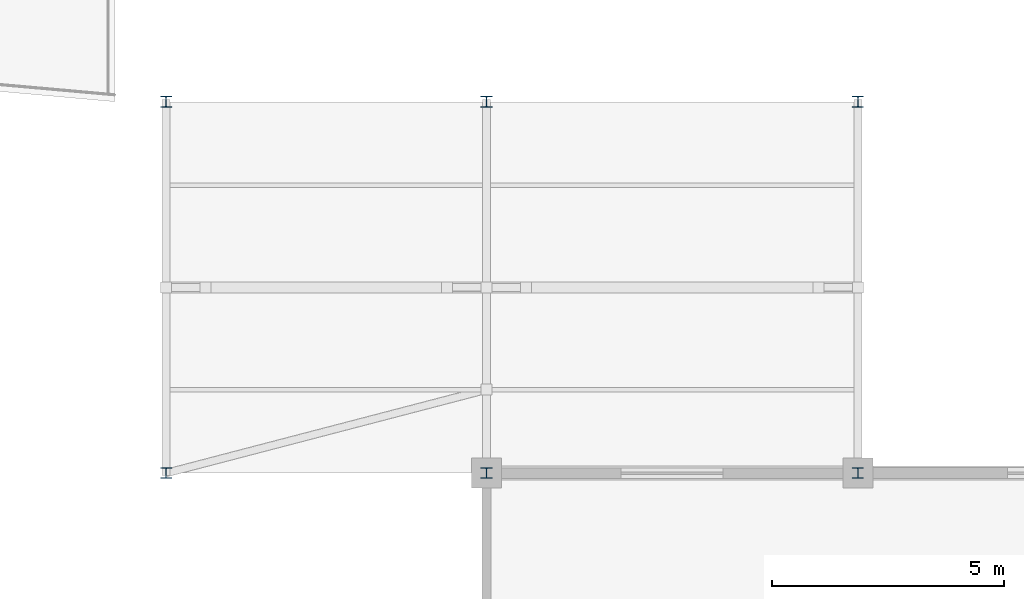
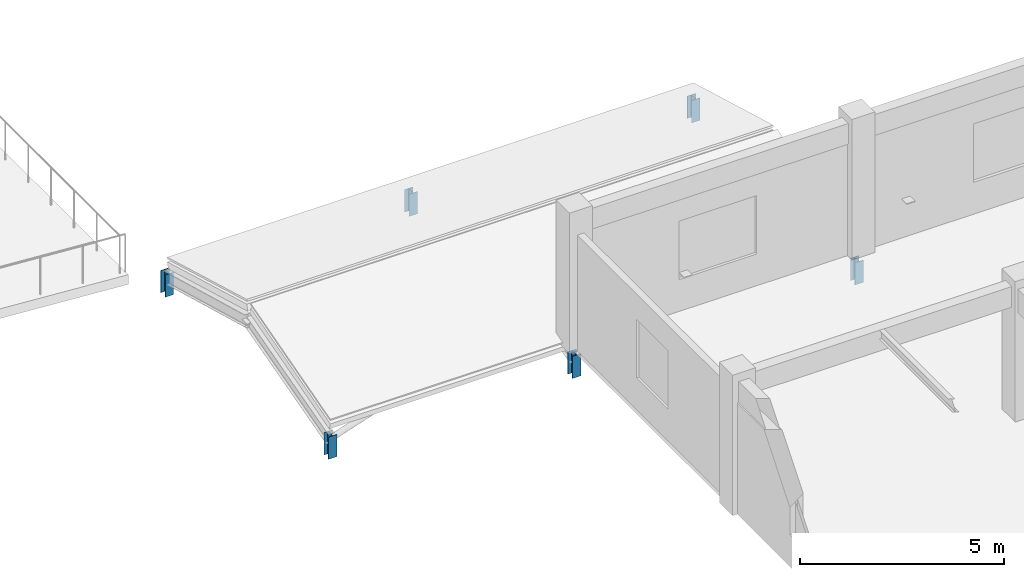
# One storey, part 33 of 67: 6 members.
"""IFC4 building model written with IfcOpenShell, lengths in metres."""

from ifc_helpers import new_model, si_unit, direction, frame, origin, origin_2d, place, context, subcontext, project, spatial, i_section, extrude, material, material_profile, profile_set, type_object, element, save


model = new_model("IFC4")

# Units and contexts
model_context = context("Model", 3, precision=1e-05, world=origin(), true_north=direction((0.0, 1.0)))
body_context = subcontext(model_context, "Body", "Model", "MODEL_VIEW")
ifc_project = project(units=[si_unit("LENGTHUNIT", "METRE"), si_unit("AREAUNIT", "SQUARE_METRE"), si_unit("VOLUMEUNIT", "CUBIC_METRE"), si_unit("PLANEANGLEUNIT", "RADIAN"), si_unit("MASSUNIT", "GRAM", prefix="KILO")], contexts=[model_context])

# Site, building, storey
site_placement = place(None, origin())
site = spatial("IfcSite", under=ifc_project, at=site_placement, CompositionType="ELEMENT")
building_placement = place(site_placement, origin())
building = spatial("IfcBuilding", under=site, at=building_placement, Name="Kenh Van Central Station", CompositionType="ELEMENT")
storey_placement = place(building_placement, frame((0.0, 0.0, 10.800048828125)))
storey = spatial("IfcBuildingStorey", under=building, at=storey_placement, Name="L02", CompositionType="ELEMENT", Elevation=10.800048828125)

# Members
ifc_material = material(Name="Steel S355", Category="steel")
ifc_material_profile = material_profile(ifc_material, i_section(OverallWidth=0.239990234375, OverallDepth=0.22998046875, WebThickness=0.007568359375, FlangeThickness=0.011962890625, FilletRadius=0.02099609375, at=origin_2d()), Name="HEA 240")
ifc_profile_set = profile_set([ifc_material_profile], Name="Steel S355")
member_type = type_object("IfcMemberType", Name="MEM-ROOF-POST240", PredefinedType="POST", material=ifc_profile_set)
for number, where, z_axis, x_axis, name in (
    (1, (145.10009765625, 88.0, -0.949951171875), (0.0, 0.0, 1.0), (1.0, 0.0, 0.0), "L02 roof eave post 226"),
    (2, (145.10009765625, 96.0, -0.949951171875), (0.0, 0.0, 1.0), (1.0, 0.0, 0.0), "L02 roof eave post 226"),
    (3, (152.0, 88.0, -0.949951171875), (0.0, 0.0, 1.0), (1.0, 0.0, 0.0), "L02 roof eave post 228"),
    (4, (152.0, 96.0, -0.949951171875), (0.0, 0.0, 1.0), (1.0, 0.0, 0.0), "L02 roof eave post 228"),
    (5, (160.0, 88.0, -0.949951171875), (0.0, 0.0, 1.0), (1.0, 0.0, 0.0), "L02 roof eave post 230"),
    (6, (160.0, 96.0, -0.949951171875), (0.0, 0.0, 1.0), (1.0, 0.0, 0.0), "L02 roof eave post 230"),
):
    element("IfcMember", number, at=place(storey_placement, frame(where, z_axis=z_axis, x_axis=x_axis)), inside=storey, type_object=member_type, Name=name, PredefinedType="POST", context=body_context, shape_type="SweptSolid", body=[
        extrude(i_section(OverallWidth=0.239990234375, OverallDepth=0.22998046875, WebThickness=0.007568359375, FlangeThickness=0.011962890625, FilletRadius=0.02099609375, at=origin_2d()), origin(), (0.0, 0.0, 1.0), 0.66552734375),
    ])

save(model, "model.ifc")
